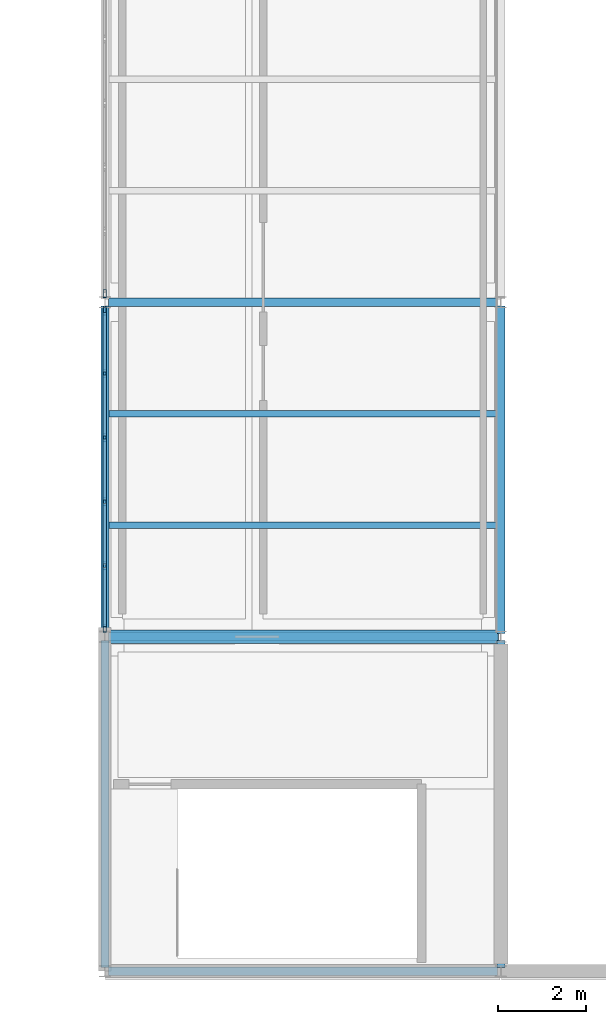
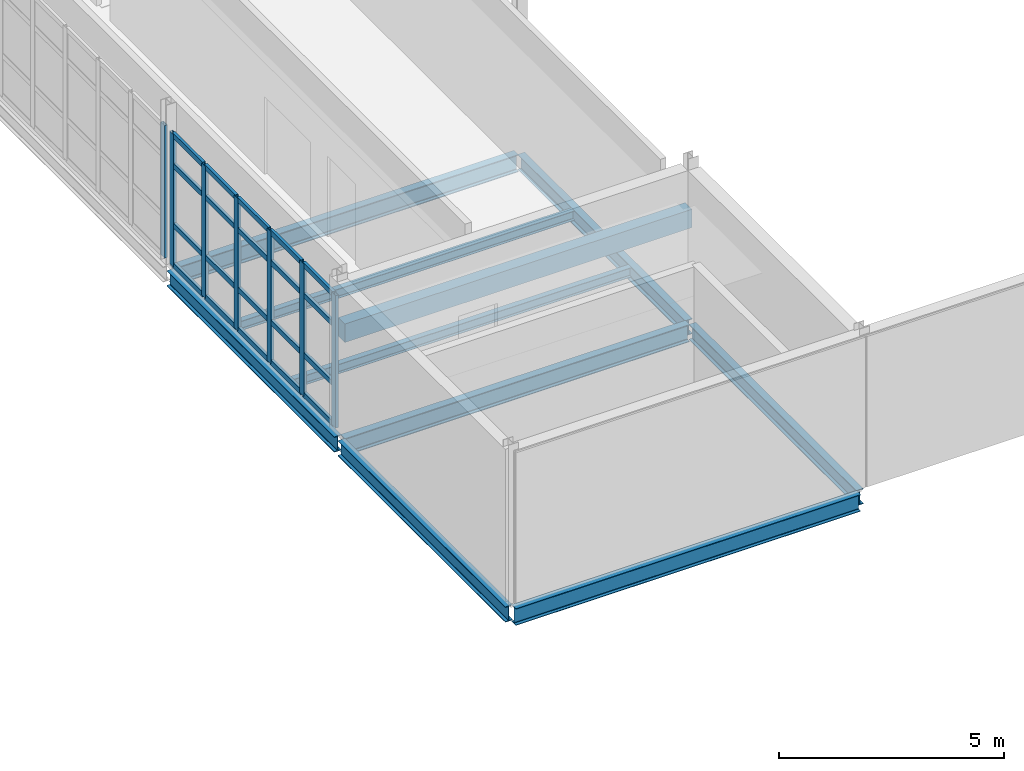
# One storey, part 106 of 166: 27 members, 10 beams, 2 elements without a shape of their own.
"""IFC4 building model written with IfcOpenShell, lengths in metres."""

from ifc_helpers import new_model, si_unit, direction, frame, origin, origin_2d, place, context, subcontext, project, spatial, rectangle, hollow_rectangle, i_section, extrude, material, material_profile, profile_set, type_object, element, aggregate, save


model = new_model("IFC4")

# Units and contexts
model_context = context("Model", 3, precision=1e-05, world=origin(), true_north=direction((0.0, 1.0)))
body_context = subcontext(model_context, "Body", "Model", "MODEL_VIEW")
ifc_project = project(units=[si_unit("LENGTHUNIT", "METRE"), si_unit("AREAUNIT", "SQUARE_METRE"), si_unit("VOLUMEUNIT", "CUBIC_METRE"), si_unit("PLANEANGLEUNIT", "RADIAN"), si_unit("MASSUNIT", "GRAM", prefix="KILO")], contexts=[model_context])

# Site, building, storey
site_placement = place(None, origin())
site = spatial("IfcSite", under=ifc_project, at=site_placement, CompositionType="ELEMENT")
building_placement = place(site_placement, origin())
building = spatial("IfcBuilding", under=site, at=building_placement, Name="Caisbarro Railhouse Central Library", CompositionType="ELEMENT")
storey_placement = place(building_placement, frame((0.0, 0.0, 9.360107421875)))
storey = spatial("IfcBuildingStorey", under=building, at=storey_placement, Name="L02", CompositionType="ELEMENT", Elevation=9.360107421875)

# Beams
ifc_material_1 = material(Name="Steel ASTM A572 Grade 50", Category="steel")
ifc_material_profile_1 = material_profile(ifc_material_1, i_section(OverallWidth=0.194091796875, OverallDepth=0.468994140625, WebThickness=0.0126953125, FlangeThickness=0.0205078125, FilletRadius=0.01806640625, at=origin_2d()), Name="W460X106.0")
ifc_profile_set_1 = profile_set([ifc_material_profile_1], Name="Steel ASTM A572 Grade 50")
beam_type_1 = type_object("IfcBeamType", Name="BM-G07", PredefinedType="BEAM", material=ifc_profile_set_1)
for number, where, z_axis, x_axis, name in (
    (1, (144.080078125, 7.60009765625, -0.4345703125), (1.0, 0.0, 0.0), (0.0, 1.0, 0.0), "G07 beam L02 #1629"),
    (2, (144.080078125, 15.199951171875, -0.4345703125), (1.0, 0.0, 0.0), (0.0, 1.0, 0.0), "G07 beam L02 #1630"),
):
    element("IfcBeam", number, at=place(storey_placement, frame(where, z_axis=z_axis, x_axis=x_axis)), inside=storey, type_object=beam_type_1, Name=name, PredefinedType="BEAM", context=body_context, shape_type="SweptSolid", body=[
        extrude(i_section(OverallWidth=0.194091796875, OverallDepth=0.468994140625, WebThickness=0.0126953125, FlangeThickness=0.0205078125, FilletRadius=0.01806640625, at=origin_2d()), origin(), (0.0, 0.0, 1.0), 8.83984375),
    ])
ifc_material_profile_2 = material_profile(ifc_material_1, i_section(OverallWidth=0.180908203125, OverallDepth=0.4169921875, WebThickness=0.010986328125, FlangeThickness=0.018310546875, FilletRadius=0.01611328125, at=origin_2d()), Name="W410X85.0")
ifc_profile_set_2 = profile_set([ifc_material_profile_2], Name="Steel ASTM A572 Grade 50")
beam_type_2 = type_object("IfcBeamType", Name="BM-G09", PredefinedType="BEAM", material=ifc_profile_set_2)
beam_1_placement = place(storey_placement, frame((144.0, 0.080078125, -0.40869140625), z_axis=(0.0, 1.0, 0.0), x_axis=(-1.0, 0.0, 0.0)))
element("IfcBeam", 3, at=beam_1_placement, inside=storey, type_object=beam_type_2, Name="G09 beam L02 #1634", PredefinedType="BEAM", context=body_context, shape_type="SweptSolid", body=[
    extrude(i_section(OverallWidth=0.180908203125, OverallDepth=0.4169921875, WebThickness=0.010986328125, FlangeThickness=0.018310546875, FilletRadius=0.01611328125, at=origin_2d()), origin(), (0.0, 0.0, 1.0), 7.43994140625),
])
beam_2_placement = place(storey_placement, frame((144.0, 7.679931640625, -0.40869140625), z_axis=(0.0, 1.0, 0.0), x_axis=(-1.0, 0.0, 0.0)))
element("IfcBeam", 4, at=beam_2_placement, inside=storey, type_object=beam_type_2, Name="G09 beam L02 #1635", PredefinedType="BEAM", context=body_context, shape_type="SweptSolid", body=[
    extrude(i_section(OverallWidth=0.180908203125, OverallDepth=0.4169921875, WebThickness=0.010986328125, FlangeThickness=0.018310546875, FilletRadius=0.01611328125, at=origin_2d()), origin(), (0.0, 0.0, 1.0), 7.440185546875),
])
beam_3_placement = place(storey_placement, frame((153.0, 0.080078125, -0.40869140625), z_axis=(0.0, 1.0, 0.0), x_axis=(-1.0, 0.0, 0.0)))
element("IfcBeam", 5, at=beam_3_placement, inside=storey, type_object=beam_type_2, Name="G09 beam L02 #1639", PredefinedType="BEAM", context=body_context, shape_type="SweptSolid", body=[
    extrude(i_section(OverallWidth=0.180908203125, OverallDepth=0.4169921875, WebThickness=0.010986328125, FlangeThickness=0.018310546875, FilletRadius=0.01611328125, at=origin_2d()), origin(), (0.0, 0.0, 1.0), 7.43994140625),
])
beam_4_placement = place(storey_placement, frame((153.0, 7.679931640625, -0.40869140625), z_axis=(0.0, 1.0, 0.0), x_axis=(-1.0, 0.0, 0.0)))
element("IfcBeam", 6, at=beam_4_placement, inside=storey, type_object=beam_type_2, Name="G09 beam L02 #1640", PredefinedType="BEAM", context=body_context, shape_type="SweptSolid", body=[
    extrude(i_section(OverallWidth=0.180908203125, OverallDepth=0.4169921875, WebThickness=0.010986328125, FlangeThickness=0.018310546875, FilletRadius=0.01611328125, at=origin_2d()), origin(), (0.0, 0.0, 1.0), 7.440185546875),
])
ifc_material_profile_3 = material_profile(ifc_material_1, i_section(OverallWidth=0.14599609375, OverallDepth=0.258056640625, WebThickness=0.006103515625, FlangeThickness=0.009033203125, FilletRadius=0.010009765625, at=origin_2d()), Name="W250X32.7")
ifc_profile_set_3 = profile_set([ifc_material_profile_3], Name="Steel ASTM A572 Grade 50")
beam_type_3 = type_object("IfcBeamType", Name="BM-J05", PredefinedType="JOIST", material=ifc_profile_set_3)
for number, where, z_axis, x_axis, name in (
    (7, (144.090576171875, 10.13330078125, -0.3291015625), (1.0, 0.0, 0.0), (0.0, 1.0, 0.0), "J05 beam L02 #1644"),
    (8, (144.090576171875, 12.666748046875, -0.3291015625), (1.0, 0.0, 0.0), (0.0, 1.0, 0.0), "J05 beam L02 #1645"),
):
    element("IfcBeam", number, at=place(storey_placement, frame(where, z_axis=z_axis, x_axis=x_axis)), inside=storey, type_object=beam_type_3, Name=name, PredefinedType="JOIST", context=body_context, shape_type="SweptSolid", body=[
        extrude(i_section(OverallWidth=0.14599609375, OverallDepth=0.258056640625, WebThickness=0.006103515625, FlangeThickness=0.009033203125, FilletRadius=0.010009765625, at=origin_2d()), origin(), (0.0, 0.0, 1.0), 8.81884765625),
    ])
ifc_material_2 = material(Name="Concrete C40", Category="concrete")
ifc_material_profile_4 = material_profile(ifc_material_2, rectangle(XDim=0.300048828125, YDim=0.5, at=origin_2d()), Name="RC-LIN-300X500")
ifc_profile_set_4 = profile_set([ifc_material_profile_4], Name="Concrete C40")
beam_type_4 = type_object("IfcBeamType", Name="BM-LN02", PredefinedType="LINTEL", material=ifc_profile_set_4)
beam_5_placement = place(storey_placement, frame((144.050048828125, 7.60009765625, 2.699951171875), z_axis=(1.0, 0.0, 0.0), x_axis=(0.0, 1.0, 0.0)))
element("IfcBeam", 9, at=beam_5_placement, inside=storey, type_object=beam_type_4, Name="LN02 RC core coupling lintel K9 L02", PredefinedType="LINTEL", context=body_context, shape_type="SweptSolid", body=[
    extrude(rectangle(XDim=0.300048828125, YDim=0.5, at=origin_2d()), origin(), (0.0, 0.0, 1.0), 8.89990234375),
])
ifc_material_profile_5 = material_profile(ifc_material_1, i_section(OverallWidth=0.18994140625, OverallDepth=0.45703125, WebThickness=0.009033203125, FlangeThickness=0.014404296875, FilletRadius=0.01806640625, at=origin_2d()), Name="W460X74.0")
ifc_profile_set_5 = profile_set([ifc_material_profile_5], Name="Steel ASTM A572 Grade 50")
beam_type_5 = type_object("IfcBeamType", Name="BM-SP01", PredefinedType="SPANDREL", material=ifc_profile_set_5)
beam_6_placement = place(storey_placement, frame((144.080078125, 0.0, -0.4287109375), z_axis=(1.0, 0.0, 0.0), x_axis=(0.0, 1.0, 0.0)))
element("IfcBeam", 10, at=beam_6_placement, inside=storey, type_object=beam_type_5, Name="SP01 beam L02 #1628", PredefinedType="SPANDREL", context=body_context, shape_type="SweptSolid", body=[
    extrude(i_section(OverallWidth=0.18994140625, OverallDepth=0.45703125, WebThickness=0.009033203125, FlangeThickness=0.014404296875, FilletRadius=0.01806640625, at=origin_2d()), origin(), (0.0, 0.0, 1.0), 8.83984375),
])

# Curtain wall, members
ifc_material_3 = material(Name="Anodised architectural aluminium", Category="aluminium")
curtain_wall_type = type_object("IfcCurtainWallType", Name="CW-CW02", PredefinedType="NOTDEFINED", material=ifc_material_3)
curtain_wall_1_placement = place(storey_placement, origin())
curtain_wall_1 = element("IfcCurtainWall", 11, at=curtain_wall_1_placement, inside=storey, type_object=curtain_wall_type, Name="CW02 curtain wall L02 #92", PredefinedType="NOTDEFINED")
ifc_material_profile_6 = material_profile(ifc_material_3, hollow_rectangle(XDim=0.074951171875, YDim=0.179931640625, WallThickness=0.00439453125, at=origin_2d()), Name="ALU-MUL-75X180")
ifc_profile_set_6 = profile_set([ifc_material_profile_6], Name="Anodised architectural aluminium")
member_type_1 = type_object("IfcMemberType", Name="CWM-M01", PredefinedType="MULLION", material=ifc_profile_set_6)
member_1_placement = place(storey_placement, frame((144.0, 7.797607421875, 0.0), z_axis=(0.0, 0.0, 1.0), x_axis=(-1.0, 0.0, 0.0)))
member_1 = element("IfcMember", 12, at=member_1_placement, type_object=member_type_1, Name="CW02 mullion 1", PredefinedType="MULLION", context=body_context, shape_type="SweptSolid", body=[
    extrude(hollow_rectangle(XDim=0.074951171875, YDim=0.179931640625, WallThickness=0.00439453125, at=origin_2d()), origin(), (0.0, 0.0, 1.0), 3.58984375),
])
member_2_placement = place(storey_placement, frame((144.0, 9.216064453125, 0.0), z_axis=(0.0, 0.0, 1.0), x_axis=(-1.0, 0.0, 0.0)))
member_2 = element("IfcMember", 13, at=member_2_placement, type_object=member_type_1, Name="CW02 mullion 2", PredefinedType="MULLION", context=body_context, shape_type="SweptSolid", body=[
    extrude(hollow_rectangle(XDim=0.074951171875, YDim=0.179931640625, WallThickness=0.00439453125, at=origin_2d()), origin(), (0.0, 0.0, 1.0), 3.58984375),
])
member_3_placement = place(storey_placement, frame((144.0, 10.672119140625, 0.0), z_axis=(0.0, 0.0, 1.0), x_axis=(-1.0, 0.0, 0.0)))
member_3 = element("IfcMember", 14, at=member_3_placement, type_object=member_type_1, Name="CW02 mullion 3", PredefinedType="MULLION", context=body_context, shape_type="SweptSolid", body=[
    extrude(hollow_rectangle(XDim=0.074951171875, YDim=0.179931640625, WallThickness=0.00439453125, at=origin_2d()), origin(), (0.0, 0.0, 1.0), 3.58984375),
])
member_4_placement = place(storey_placement, frame((144.0, 12.1279296875, 0.0), z_axis=(0.0, 0.0, 1.0), x_axis=(-1.0, 0.0, 0.0)))
member_4 = element("IfcMember", 15, at=member_4_placement, type_object=member_type_1, Name="CW02 mullion 4", PredefinedType="MULLION", context=body_context, shape_type="SweptSolid", body=[
    extrude(hollow_rectangle(XDim=0.074951171875, YDim=0.179931640625, WallThickness=0.00439453125, at=origin_2d()), origin(), (0.0, 0.0, 1.0), 3.58984375),
])
member_5_placement = place(storey_placement, frame((144.0, 13.583984375, 0.0), z_axis=(0.0, 0.0, 1.0), x_axis=(-1.0, 0.0, 0.0)))
member_5 = element("IfcMember", 16, at=member_5_placement, type_object=member_type_1, Name="CW02 mullion 5", PredefinedType="MULLION", context=body_context, shape_type="SweptSolid", body=[
    extrude(hollow_rectangle(XDim=0.074951171875, YDim=0.179931640625, WallThickness=0.00439453125, at=origin_2d()), origin(), (0.0, 0.0, 1.0), 3.58984375),
])
member_6_placement = place(storey_placement, frame((144.0, 15.00244140625, 0.0), z_axis=(0.0, 0.0, 1.0), x_axis=(-1.0, 0.0, 0.0)))
member_6 = element("IfcMember", 17, at=member_6_placement, type_object=member_type_1, Name="CW02 mullion 6", PredefinedType="MULLION", context=body_context, shape_type="SweptSolid", body=[
    extrude(hollow_rectangle(XDim=0.074951171875, YDim=0.179931640625, WallThickness=0.00439453125, at=origin_2d()), origin(), (0.0, 0.0, 1.0), 3.58984375),
])

# Curtain wall, member
curtain_wall_2_placement = place(storey_placement, origin())
curtain_wall_2 = element("IfcCurtainWall", 18, at=curtain_wall_2_placement, inside=storey, type_object=curtain_wall_type, Name="CW02 curtain wall L02 #93", PredefinedType="NOTDEFINED")
member_7_placement = place(storey_placement, frame((144.0, 15.3974609375, 0.0), z_axis=(0.0, 0.0, 1.0), x_axis=(-1.0, 0.0, 0.0)))
member_7 = element("IfcMember", 19, at=member_7_placement, type_object=member_type_1, Name="CW02 mullion 1", PredefinedType="MULLION", context=body_context, shape_type="SweptSolid", body=[
    extrude(hollow_rectangle(XDim=0.074951171875, YDim=0.179931640625, WallThickness=0.00439453125, at=origin_2d()), origin(), (0.0, 0.0, 1.0), 3.58984375),
])
aggregate(curtain_wall_2, [member_7])

# Member
ifc_material_profile_7 = material_profile(ifc_material_3, hollow_rectangle(XDim=0.074951171875, YDim=0.139892578125, WallThickness=0.00390625, at=origin_2d()), Name="ALU-TRN-75X140")
ifc_profile_set_7 = profile_set([ifc_material_profile_7], Name="Anodised architectural aluminium")
member_type_2 = type_object("IfcMemberType", Name="CWT-T01", PredefinedType="USERDEFINED", material=ifc_profile_set_7)
member_8_placement = place(storey_placement, frame((144.0, 7.8349609375, 0.037353515625), z_axis=(0.0, 1.0, 0.0), x_axis=(-1.0, 0.0, 0.0)))
member_8 = element("IfcMember", 20, at=member_8_placement, type_object=member_type_2, Name="CW02 transom 1.1", ObjectType="TRANSOM", PredefinedType="USERDEFINED", context=body_context, shape_type="SweptSolid", body=[
    extrude(hollow_rectangle(XDim=0.074951171875, YDim=0.139892578125, WallThickness=0.00390625, at=origin_2d()), origin(), (0.0, 0.0, 1.0), 1.343505859375),
])

member_9_placement = place(storey_placement, frame((144.0, 7.8349609375, 1.119873046875), z_axis=(0.0, 1.0, 0.0), x_axis=(-1.0, 0.0, 0.0)))
member_9 = element("IfcMember", 21, at=member_9_placement, type_object=member_type_2, Name="CW02 transom 1.2", ObjectType="TRANSOM", PredefinedType="USERDEFINED", context=body_context, shape_type="SweptSolid", body=[
    extrude(hollow_rectangle(XDim=0.074951171875, YDim=0.139892578125, WallThickness=0.00390625, at=origin_2d()), origin(), (0.0, 0.0, 1.0), 1.343505859375),
])

member_10_placement = place(storey_placement, frame((144.0, 7.8349609375, 2.739990234375), z_axis=(0.0, 1.0, 0.0), x_axis=(-1.0, 0.0, 0.0)))
member_10 = element("IfcMember", 22, at=member_10_placement, type_object=member_type_2, Name="CW02 transom 1.3", ObjectType="TRANSOM", PredefinedType="USERDEFINED", context=body_context, shape_type="SweptSolid", body=[
    extrude(hollow_rectangle(XDim=0.074951171875, YDim=0.139892578125, WallThickness=0.00390625, at=origin_2d()), origin(), (0.0, 0.0, 1.0), 1.343505859375),
])

member_11_placement = place(storey_placement, frame((144.0, 7.8349609375, 3.552490234375), z_axis=(0.0, 1.0, 0.0), x_axis=(-1.0, 0.0, 0.0)))
member_11 = element("IfcMember", 23, at=member_11_placement, type_object=member_type_2, Name="CW02 transom 1.4", ObjectType="TRANSOM", PredefinedType="USERDEFINED", context=body_context, shape_type="SweptSolid", body=[
    extrude(hollow_rectangle(XDim=0.074951171875, YDim=0.139892578125, WallThickness=0.00390625, at=origin_2d()), origin(), (0.0, 0.0, 1.0), 1.343505859375),
])

member_12_placement = place(storey_placement, frame((144.0, 9.25341796875, 0.037353515625), z_axis=(0.0, 1.0, 0.0), x_axis=(-1.0, 0.0, 0.0)))
member_12 = element("IfcMember", 24, at=member_12_placement, type_object=member_type_2, Name="CW02 transom 2.1", ObjectType="TRANSOM", PredefinedType="USERDEFINED", context=body_context, shape_type="SweptSolid", body=[
    extrude(hollow_rectangle(XDim=0.074951171875, YDim=0.139892578125, WallThickness=0.00390625, at=origin_2d()), origin(), (0.0, 0.0, 1.0), 1.381103515625),
])

member_13_placement = place(storey_placement, frame((144.0, 9.25341796875, 1.119873046875), z_axis=(0.0, 1.0, 0.0), x_axis=(-1.0, 0.0, 0.0)))
member_13 = element("IfcMember", 25, at=member_13_placement, type_object=member_type_2, Name="CW02 transom 2.2", ObjectType="TRANSOM", PredefinedType="USERDEFINED", context=body_context, shape_type="SweptSolid", body=[
    extrude(hollow_rectangle(XDim=0.074951171875, YDim=0.139892578125, WallThickness=0.00390625, at=origin_2d()), origin(), (0.0, 0.0, 1.0), 1.381103515625),
])

member_14_placement = place(storey_placement, frame((144.0, 9.25341796875, 2.739990234375), z_axis=(0.0, 1.0, 0.0), x_axis=(-1.0, 0.0, 0.0)))
member_14 = element("IfcMember", 26, at=member_14_placement, type_object=member_type_2, Name="CW02 transom 2.3", ObjectType="TRANSOM", PredefinedType="USERDEFINED", context=body_context, shape_type="SweptSolid", body=[
    extrude(hollow_rectangle(XDim=0.074951171875, YDim=0.139892578125, WallThickness=0.00390625, at=origin_2d()), origin(), (0.0, 0.0, 1.0), 1.381103515625),
])

member_15_placement = place(storey_placement, frame((144.0, 9.25341796875, 3.552490234375), z_axis=(0.0, 1.0, 0.0), x_axis=(-1.0, 0.0, 0.0)))
member_15 = element("IfcMember", 27, at=member_15_placement, type_object=member_type_2, Name="CW02 transom 2.4", ObjectType="TRANSOM", PredefinedType="USERDEFINED", context=body_context, shape_type="SweptSolid", body=[
    extrude(hollow_rectangle(XDim=0.074951171875, YDim=0.139892578125, WallThickness=0.00390625, at=origin_2d()), origin(), (0.0, 0.0, 1.0), 1.381103515625),
])

member_16_placement = place(storey_placement, frame((144.0, 10.70947265625, 0.037353515625), z_axis=(0.0, 1.0, 0.0), x_axis=(-1.0, 0.0, 0.0)))
member_16 = element("IfcMember", 28, at=member_16_placement, type_object=member_type_2, Name="CW02 transom 3.1", ObjectType="TRANSOM", PredefinedType="USERDEFINED", context=body_context, shape_type="SweptSolid", body=[
    extrude(hollow_rectangle(XDim=0.074951171875, YDim=0.139892578125, WallThickness=0.00390625, at=origin_2d()), origin(), (0.0, 0.0, 1.0), 1.381103515625),
])

member_17_placement = place(storey_placement, frame((144.0, 10.70947265625, 1.119873046875), z_axis=(0.0, 1.0, 0.0), x_axis=(-1.0, 0.0, 0.0)))
member_17 = element("IfcMember", 29, at=member_17_placement, type_object=member_type_2, Name="CW02 transom 3.2", ObjectType="TRANSOM", PredefinedType="USERDEFINED", context=body_context, shape_type="SweptSolid", body=[
    extrude(hollow_rectangle(XDim=0.074951171875, YDim=0.139892578125, WallThickness=0.00390625, at=origin_2d()), origin(), (0.0, 0.0, 1.0), 1.381103515625),
])

member_18_placement = place(storey_placement, frame((144.0, 10.70947265625, 2.739990234375), z_axis=(0.0, 1.0, 0.0), x_axis=(-1.0, 0.0, 0.0)))
member_18 = element("IfcMember", 30, at=member_18_placement, type_object=member_type_2, Name="CW02 transom 3.3", ObjectType="TRANSOM", PredefinedType="USERDEFINED", context=body_context, shape_type="SweptSolid", body=[
    extrude(hollow_rectangle(XDim=0.074951171875, YDim=0.139892578125, WallThickness=0.00390625, at=origin_2d()), origin(), (0.0, 0.0, 1.0), 1.381103515625),
])

member_19_placement = place(storey_placement, frame((144.0, 10.70947265625, 3.552490234375), z_axis=(0.0, 1.0, 0.0), x_axis=(-1.0, 0.0, 0.0)))
member_19 = element("IfcMember", 31, at=member_19_placement, type_object=member_type_2, Name="CW02 transom 3.4", ObjectType="TRANSOM", PredefinedType="USERDEFINED", context=body_context, shape_type="SweptSolid", body=[
    extrude(hollow_rectangle(XDim=0.074951171875, YDim=0.139892578125, WallThickness=0.00390625, at=origin_2d()), origin(), (0.0, 0.0, 1.0), 1.381103515625),
])

member_20_placement = place(storey_placement, frame((144.0, 12.16552734375, 0.037353515625), z_axis=(0.0, 1.0, 0.0), x_axis=(-1.0, 0.0, 0.0)))
member_20 = element("IfcMember", 32, at=member_20_placement, type_object=member_type_2, Name="CW02 transom 4.1", ObjectType="TRANSOM", PredefinedType="USERDEFINED", context=body_context, shape_type="SweptSolid", body=[
    extrude(hollow_rectangle(XDim=0.074951171875, YDim=0.139892578125, WallThickness=0.00390625, at=origin_2d()), origin(), (0.0, 0.0, 1.0), 1.380859375),
])

member_21_placement = place(storey_placement, frame((144.0, 12.16552734375, 1.119873046875), z_axis=(0.0, 1.0, 0.0), x_axis=(-1.0, 0.0, 0.0)))
member_21 = element("IfcMember", 33, at=member_21_placement, type_object=member_type_2, Name="CW02 transom 4.2", ObjectType="TRANSOM", PredefinedType="USERDEFINED", context=body_context, shape_type="SweptSolid", body=[
    extrude(hollow_rectangle(XDim=0.074951171875, YDim=0.139892578125, WallThickness=0.00390625, at=origin_2d()), origin(), (0.0, 0.0, 1.0), 1.380859375),
])

member_22_placement = place(storey_placement, frame((144.0, 12.16552734375, 2.739990234375), z_axis=(0.0, 1.0, 0.0), x_axis=(-1.0, 0.0, 0.0)))
member_22 = element("IfcMember", 34, at=member_22_placement, type_object=member_type_2, Name="CW02 transom 4.3", ObjectType="TRANSOM", PredefinedType="USERDEFINED", context=body_context, shape_type="SweptSolid", body=[
    extrude(hollow_rectangle(XDim=0.074951171875, YDim=0.139892578125, WallThickness=0.00390625, at=origin_2d()), origin(), (0.0, 0.0, 1.0), 1.380859375),
])

member_23_placement = place(storey_placement, frame((144.0, 12.16552734375, 3.552490234375), z_axis=(0.0, 1.0, 0.0), x_axis=(-1.0, 0.0, 0.0)))
member_23 = element("IfcMember", 35, at=member_23_placement, type_object=member_type_2, Name="CW02 transom 4.4", ObjectType="TRANSOM", PredefinedType="USERDEFINED", context=body_context, shape_type="SweptSolid", body=[
    extrude(hollow_rectangle(XDim=0.074951171875, YDim=0.139892578125, WallThickness=0.00390625, at=origin_2d()), origin(), (0.0, 0.0, 1.0), 1.380859375),
])

member_24_placement = place(storey_placement, frame((144.0, 13.62158203125, 0.037353515625), z_axis=(0.0, 1.0, 0.0), x_axis=(-1.0, 0.0, 0.0)))
member_24 = element("IfcMember", 36, at=member_24_placement, type_object=member_type_2, Name="CW02 transom 5.1", ObjectType="TRANSOM", PredefinedType="USERDEFINED", context=body_context, shape_type="SweptSolid", body=[
    extrude(hollow_rectangle(XDim=0.074951171875, YDim=0.139892578125, WallThickness=0.00390625, at=origin_2d()), origin(), (0.0, 0.0, 1.0), 1.343505859375),
])

member_25_placement = place(storey_placement, frame((144.0, 13.62158203125, 1.119873046875), z_axis=(0.0, 1.0, 0.0), x_axis=(-1.0, 0.0, 0.0)))
member_25 = element("IfcMember", 37, at=member_25_placement, type_object=member_type_2, Name="CW02 transom 5.2", ObjectType="TRANSOM", PredefinedType="USERDEFINED", context=body_context, shape_type="SweptSolid", body=[
    extrude(hollow_rectangle(XDim=0.074951171875, YDim=0.139892578125, WallThickness=0.00390625, at=origin_2d()), origin(), (0.0, 0.0, 1.0), 1.343505859375),
])

member_26_placement = place(storey_placement, frame((144.0, 13.62158203125, 2.739990234375), z_axis=(0.0, 1.0, 0.0), x_axis=(-1.0, 0.0, 0.0)))
member_26 = element("IfcMember", 38, at=member_26_placement, type_object=member_type_2, Name="CW02 transom 5.3", ObjectType="TRANSOM", PredefinedType="USERDEFINED", context=body_context, shape_type="SweptSolid", body=[
    extrude(hollow_rectangle(XDim=0.074951171875, YDim=0.139892578125, WallThickness=0.00390625, at=origin_2d()), origin(), (0.0, 0.0, 1.0), 1.343505859375),
])

member_27_placement = place(storey_placement, frame((144.0, 13.62158203125, 3.552490234375), z_axis=(0.0, 1.0, 0.0), x_axis=(-1.0, 0.0, 0.0)))
member_27 = element("IfcMember", 39, at=member_27_placement, type_object=member_type_2, Name="CW02 transom 5.4", ObjectType="TRANSOM", PredefinedType="USERDEFINED", context=body_context, shape_type="SweptSolid", body=[
    extrude(hollow_rectangle(XDim=0.074951171875, YDim=0.139892578125, WallThickness=0.00390625, at=origin_2d()), origin(), (0.0, 0.0, 1.0), 1.343505859375),
])

aggregate(curtain_wall_1, [member_1, member_2, member_3, member_4, member_5, member_6, member_8, member_9, member_10, member_11, member_12, member_13, member_14, member_15, member_16, member_17, member_18, member_19, member_20, member_21, member_22, member_23, member_24, member_25, member_26, member_27])

save(model, "model.ifc")
